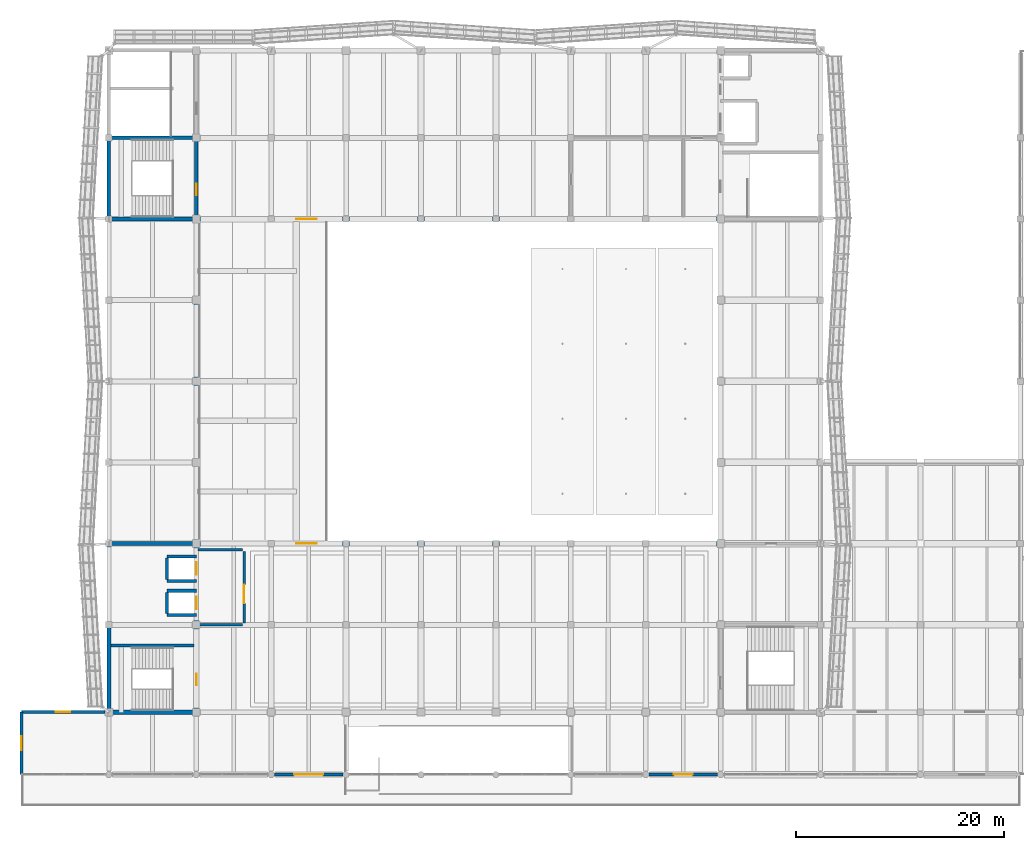
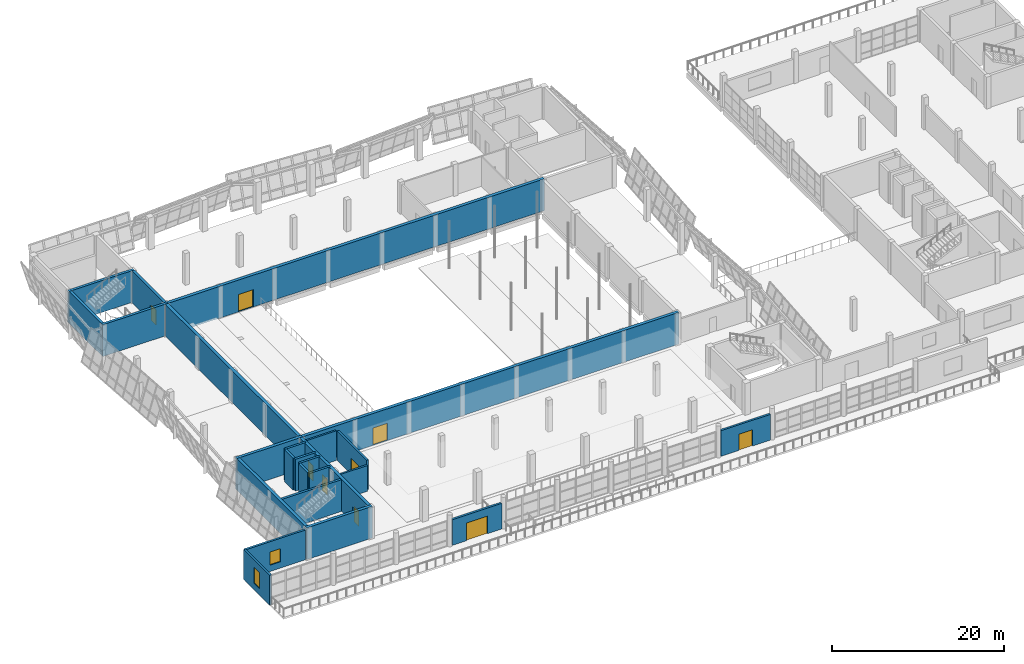
# One storey, part 55 of 71: 25 walls, 9 doors, 2 windows, 11 openings.
"""IFC4 building model written with IfcOpenShell, lengths in metres."""

from ifc_helpers import new_model, si_unit, direction, frame, frame_2d, origin, place, context, subcontext, project, spatial, rectangle, extrude, material, layer, layer_set, type_object, element, fill, save


model = new_model("IFC4")

# Units and contexts
model_context = context("Model", 3, precision=1e-05, world=origin(), true_north=direction((0.0, 1.0)))
body_context = subcontext(model_context, "Body", "Model", "MODEL_VIEW")
ifc_project = project(units=[si_unit("LENGTHUNIT", "METRE"), si_unit("AREAUNIT", "SQUARE_METRE"), si_unit("VOLUMEUNIT", "CUBIC_METRE"), si_unit("PLANEANGLEUNIT", "RADIAN"), si_unit("MASSUNIT", "GRAM", prefix="KILO")], contexts=[model_context])

# Site, building, storey
site_placement = place(None, origin())
site = spatial("IfcSite", under=ifc_project, at=site_placement, CompositionType="ELEMENT")
building_placement = place(site_placement, origin())
building = spatial("IfcBuilding", under=site, at=building_placement, Name="Pellamere Symphony Hall", CompositionType="ELEMENT")
storey_placement = place(building_placement, frame((0.0, 0.0, 15.0)))
storey = spatial("IfcBuildingStorey", under=building, at=storey_placement, Name="L03", CompositionType="ELEMENT", Elevation=15.0)

# Wall, opening, door
ifc_material_1 = material(Name="Architectural Limestone-Clad Insulated Backing Assembly", Category="masonry")
ifc_layer_1 = layer(ifc_material_1, 0.280029296875, Name="Architectural Limestone-Clad Insulated Backing Assembly")
ifc_layer_set_1 = layer_set([ifc_layer_1], Name="Architectural Limestone-Clad Insulated Backing Assembly")
wall_type_1 = type_object("IfcWallType", Name="Exterior Wall EW-03 280mm", PredefinedType="SOLIDWALL", material=ifc_layer_set_1)
wall_1_placement = place(storey_placement, frame((66.300048828125, 24.0, 0.0), z_axis=(0.0, 0.0, 1.0), x_axis=(1.0, 0.0, 0.0)))
wall_1 = element("IfcWall", 1, at=wall_1_placement, inside=storey, type_object=wall_type_1, Name="Exterior Wall EW-03-053 (L03)", PredefinedType="SOLIDWALL", context=body_context, shape_type="SweptSolid", body=[
    extrude(rectangle(XDim=6.599853515625, YDim=0.280029296875, at=frame_2d((3.2998046875, 0.0))), origin(), (0.0, 0.0, 1.0), 3.639892578125),
])
opening_1_placement = place(wall_1_placement, frame((1.89990234375, 0.0, 0.0)))
opening_1 = element("IfcOpeningElement", 2, at=opening_1_placement, cuts=wall_1, Name="Opening TD-03", PredefinedType="OPENING", context=body_context, shape_type="SweptSolid", body=[
    extrude(rectangle(XDim=2.800048828125, YDim=2.5, at=frame_2d((1.39990234375, 1.25))), frame((0.0, 0.14990234375, 0.0), z_axis=(0.0, -1.0, 0.0), x_axis=(1.0, 0.0, 0.0)), (0.0, 0.0, 1.0), 0.300048828125),
])
ifc_material_2 = material(Name="Thermally Broken Bronze-Anodised Aluminium Acoustic Door", Category="aluminium")
door_type_1 = type_object("IfcDoorType", Name="Exterior Door ED-05 2800x2500", OperationType="NOTDEFINED", PredefinedType="DOOR", material=ifc_material_2)
door_1_placement = place(opening_1_placement, frame((2.800048828125, 0.0, 0.0), z_axis=(0.0, 0.0, 1.0), x_axis=(-1.0, 0.0, 0.0)))
door_1 = element("IfcDoor", 3, at=door_1_placement, inside=storey, type_object=door_type_1, Name="Step 2 Winter-Garden Terrace West Door", OperationType="SLIDING_TO_LEFT", OverallHeight=2.5, OverallWidth=2.800048828125, PredefinedType="DOOR", context=body_context, shape_type="SweptSolid", body=[
    extrude(rectangle(XDim=2.800048828125, YDim=2.5, at=frame_2d((1.39990234375, 1.25))), frame((0.0, 0.02490234375, 0.0), z_axis=(0.0, -1.0, 0.0), x_axis=(1.0, 0.0, 0.0)), (0.0, 0.0, 1.0), 0.050048828125),
])
fill(opening_1, door_1)

wall_2_placement = place(storey_placement, frame((102.300048828125, 24.0, 0.0), z_axis=(0.0, 0.0, 1.0), x_axis=(1.0, 0.0, 0.0)))
wall_2 = element("IfcWall", 4, at=wall_2_placement, inside=storey, type_object=wall_type_1, Name="Exterior Wall EW-03-054 (L03)", PredefinedType="SOLIDWALL", context=body_context, shape_type="SweptSolid", body=[
    extrude(rectangle(XDim=6.599853515625, YDim=0.280029296875, at=frame_2d((3.2998046875, 0.0))), origin(), (0.0, 0.0, 1.0), 3.639892578125),
])
opening_2_placement = place(wall_2_placement, frame((2.39990234375, 0.0, 0.0)))
opening_2 = element("IfcOpeningElement", 5, at=opening_2_placement, cuts=wall_2, Name="Opening TD-04", PredefinedType="OPENING", context=body_context, shape_type="SweptSolid", body=[
    extrude(rectangle(XDim=1.800048828125, YDim=2.300048828125, at=frame_2d((0.89990234375, 1.14990234375))), frame((0.0, 0.14990234375, 0.0), z_axis=(0.0, -1.0, 0.0), x_axis=(1.0, 0.0, 0.0)), (0.0, 0.0, 1.0), 0.300048828125),
])
door_type_2 = type_object("IfcDoorType", Name="Exterior Door ED-06 1800x2300", OperationType="NOTDEFINED", PredefinedType="DOOR", material=ifc_material_2)
door_2_placement = place(opening_2_placement, frame((1.800048828125, 0.0, 0.0), z_axis=(0.0, 0.0, 1.0), x_axis=(-1.0, 0.0, 0.0)))
door_2 = element("IfcDoor", 6, at=door_2_placement, inside=storey, type_object=door_type_2, Name="Step 2 Winter-Garden Terrace East Door", OperationType="DOUBLE_DOOR_SINGLE_SWING", OverallHeight=2.300048828125, OverallWidth=1.800048828125, PredefinedType="DOOR", context=body_context, shape_type="SweptSolid", body=[
    extrude(rectangle(XDim=1.800048828125, YDim=2.300048828125, at=frame_2d((0.89990234375, 1.14990234375))), frame((0.0, 0.02490234375, 0.0), z_axis=(0.0, -1.0, 0.0), x_axis=(1.0, 0.0, 0.0)), (0.0, 0.0, 1.0), 0.050048828125),
])
fill(opening_2, door_2)

# Wall, opening, window
wall_3_placement = place(storey_placement, frame((42.0, 24.0, 0.0), z_axis=(0.0, 0.0, 1.0), x_axis=(0.0, 1.0, 0.0)))
wall_3 = element("IfcWall", 7, at=wall_3_placement, inside=storey, type_object=wall_type_1, Name="Exterior Wall EW-03-060 (L03)", PredefinedType="SOLIDWALL", context=body_context, shape_type="SweptSolid", body=[
    extrude(rectangle(XDim=6.0, YDim=0.280029296875, at=frame_2d((3.0, 0.0))), origin(), (0.0, 0.0, 1.0), 4.219970703125),
])
opening_3_placement = place(wall_3_placement, frame((2.324951171875, 0.0, 0.89990234375)))
opening_3 = element("IfcOpeningElement", 8, at=opening_3_placement, cuts=wall_3, Name="Opening W035", PredefinedType="OPENING", context=body_context, shape_type="SweptSolid", body=[
    extrude(rectangle(XDim=1.35009765625, YDim=2.25, at=frame_2d((0.675048828125, 1.125))), frame((0.0, 0.14990234375, 0.0), z_axis=(0.0, -1.0, 0.0), x_axis=(1.0, 0.0, 0.0)), (0.0, 0.0, 1.0), 0.300048828125),
])
ifc_material_3 = material(Name="Thermally Broken Aluminium Triple-Glazed Acoustic Window", Category="aluminium")
window_type_1 = type_object("IfcWindowType", Name="Window WN-13 1350x2250", PartitioningType="SINGLE_PANEL", PredefinedType="WINDOW", material=ifc_material_3)
window_1_placement = place(opening_3_placement, origin())
window_1 = element("IfcWindow", 9, at=window_1_placement, inside=storey, type_object=window_type_1, Name="Exterior Window W035 (L03)", OverallHeight=2.25, OverallWidth=1.35009765625, PartitioningType="SINGLE_PANEL", PredefinedType="WINDOW", context=body_context, shape_type="SweptSolid", body=[
    extrude(rectangle(XDim=1.35009765625, YDim=2.25, at=frame_2d((0.675048828125, 1.125))), frame((0.0, 0.030029296875, 0.0), z_axis=(0.0, -1.0, 0.0), x_axis=(1.0, 0.0, 0.0)), (0.0, 0.0, 1.0), 0.06005859375),
])
fill(opening_3, window_1)

wall_4_placement = place(storey_placement, frame((42.0, 30.0, 0.0), z_axis=(0.0, 0.0, 1.0), x_axis=(1.0, 0.0, 0.0)))
wall_4 = element("IfcWall", 10, at=wall_4_placement, inside=storey, type_object=wall_type_1, Name="Exterior Wall EW-03-063 (L03)", PredefinedType="SOLIDWALL", context=body_context, shape_type="SweptSolid", body=[
    extrude(rectangle(XDim=8.02490234375, YDim=0.280029296875, at=frame_2d((4.012451171875, 0.0))), origin(), (0.0, 0.0, 1.0), 4.219970703125),
])
opening_4_placement = place(wall_4_placement, frame((3.3125, 0.0, 0.89990234375)))
opening_4 = element("IfcOpeningElement", 11, at=opening_4_placement, cuts=wall_4, Name="Opening W038", PredefinedType="OPENING", context=body_context, shape_type="SweptSolid", body=[
    extrude(rectangle(XDim=1.39990234375, YDim=1.85009765625, at=frame_2d((0.699951171875, 0.925048828125))), frame((0.0, 0.14990234375, 0.0), z_axis=(0.0, -1.0, 0.0), x_axis=(1.0, 0.0, 0.0)), (0.0, 0.0, 1.0), 0.300048828125),
])
window_type_2 = type_object("IfcWindowType", Name="Window WN-18 1400x1850", PartitioningType="SINGLE_PANEL", PredefinedType="WINDOW", material=ifc_material_3)
window_2_placement = place(opening_4_placement, origin())
window_2 = element("IfcWindow", 12, at=window_2_placement, inside=storey, type_object=window_type_2, Name="Exterior Window W038 (L03)", OverallHeight=1.85009765625, OverallWidth=1.39990234375, PartitioningType="SINGLE_PANEL", PredefinedType="WINDOW", context=body_context, shape_type="SweptSolid", body=[
    extrude(rectangle(XDim=1.39990234375, YDim=1.85009765625, at=frame_2d((0.699951171875, 0.925048828125))), frame((0.0, 0.030029296875, 0.0), z_axis=(0.0, -1.0, 0.0), x_axis=(1.0, 0.0, 0.0)), (0.0, 0.0, 1.0), 0.06005859375),
])
fill(opening_4, window_2)

# Walls
ifc_material_4 = material(Name="Double-Stud STC-65 Acoustic Drywall Partition", Category="gypsum")
ifc_layer_2 = layer(ifc_material_4, 0.239990234375, Name="Double-Stud STC-65 Acoustic Drywall Partition")
ifc_layer_set_2 = layer_set([ifc_layer_2], Name="Double-Stud STC-65 Acoustic Drywall Partition")
wall_type_2 = type_object("IfcWallType", Name="Interior Partition IW-01 240mm", PredefinedType="PARTITIONING", material=ifc_layer_set_2)
wall_5_placement = place(storey_placement, frame((58.9599609375, 38.39990234375, 0.0), z_axis=(0.0, 0.0, 1.0), x_axis=(1.0, 0.0, 0.0)))
element("IfcWall", 13, at=wall_5_placement, inside=storey, type_object=wall_type_2, Name="Interior Partition IW-01-014 (L03)", PredefinedType="PARTITIONING", context=body_context, shape_type="SweptSolid", body=[
    extrude(rectangle(XDim=4.280029296875, YDim=0.239990234375, at=frame_2d((2.14013671875, 0.0))), origin(), (0.0, 0.0, 1.0), 3.639892578125),
])
wall_6_placement = place(storey_placement, frame((58.9599609375, 45.60009765625, 0.0), z_axis=(0.0, 0.0, 1.0), x_axis=(1.0, 0.0, 0.0)))
element("IfcWall", 14, at=wall_6_placement, inside=storey, type_object=wall_type_2, Name="Interior Partition IW-01-015 (L03)", PredefinedType="PARTITIONING", context=body_context, shape_type="SweptSolid", body=[
    extrude(rectangle(XDim=4.280029296875, YDim=0.239990234375, at=frame_2d((2.14013671875, 0.0))), origin(), (0.0, 0.0, 1.0), 4.18994140625),
])

# Wall, opening, door
wall_7_placement = place(storey_placement, frame((63.39990234375, 38.56005859375, 0.0), z_axis=(0.0, 0.0, 1.0), x_axis=(0.0, 1.0, 0.0)))
wall_7 = element("IfcWall", 15, at=wall_7_placement, inside=storey, type_object=wall_type_2, Name="Interior Partition IW-01-016 (L03)", PredefinedType="PARTITIONING", context=body_context, shape_type="SweptSolid", body=[
    extrude(rectangle(XDim=6.8798828125, YDim=0.239990234375, at=frame_2d((3.43994140625, 0.0))), origin(), (0.0, 0.0, 1.0), 4.18994140625),
])
opening_5_placement = place(wall_7_placement, frame((1.89990234375, 0.0, 0.0)))
opening_5 = element("IfcOpeningElement", 16, at=opening_5_placement, cuts=wall_7, Name="Opening FD-07", PredefinedType="OPENING", context=body_context, shape_type="SweptSolid", body=[
    extrude(rectangle(XDim=1.800048828125, YDim=2.300048828125, at=frame_2d((0.89990234375, 1.14990234375))), frame((0.0, 0.1298828125, 0.0), z_axis=(0.0, -1.0, 0.0), x_axis=(1.0, 0.0, 0.0)), (0.0, 0.0, 1.0), 0.260009765625),
])
ifc_material_5 = material(Name="Fire-Rated Cross-Corridor Double Door", Category="wood")
door_type_3 = type_object("IfcDoorType", Name="Interior Door ID-FD1 1800x2300", OperationType="NOTDEFINED", PredefinedType="DOOR", material=ifc_material_5)
door_3_placement = place(opening_5_placement, origin())
door_3 = element("IfcDoor", 17, at=door_3_placement, inside=storey, type_object=door_type_3, Name="Firefighting Lobby C1 Foyer Entry Door (L03)", OperationType="DOUBLE_DOOR_SINGLE_SWING", OverallHeight=2.300048828125, OverallWidth=1.800048828125, PredefinedType="DOOR", context=body_context, shape_type="SweptSolid", body=[
    extrude(rectangle(XDim=1.800048828125, YDim=2.300048828125, at=frame_2d((0.89990234375, 1.14990234375))), frame((0.0, 0.02490234375, 0.0), z_axis=(0.0, -1.0, 0.0), x_axis=(1.0, 0.0, 0.0)), (0.0, 0.0, 1.0), 0.050048828125),
])
fill(opening_5, door_3)

# Walls
ifc_material_6 = material(Name="Concrete 50 MPa", Category="concrete")
ifc_layer_3 = layer(ifc_material_6, 0.39990234375, Name="Concrete 50 MPa")
ifc_layer_set_3 = layer_set([ifc_layer_3], Name="Concrete 50 MPa")
wall_type_3 = type_object("IfcWallType", Name="Structural Wall SW-02 400mm", PredefinedType="SHEAR", material=ifc_layer_set_3)
for number, where, z_axis, x_axis, name in (
    (18, (50.199951171875, 30.0, 0.0), (0.0, 0.0, 1.0), (1.0, 0.0, 0.0), "Core Shear Wall C1 S (L03)"),
    (19, (50.199951171875, 46.199951171875, 0.0), (0.0, 0.0, 1.0), (1.0, 0.0, 0.0), "Core Shear Wall C1 N (L03)"),
):
    element("IfcWall", number, at=place(storey_placement, frame(where, z_axis=z_axis, x_axis=x_axis)), inside=storey, type_object=wall_type_3, Name=name, PredefinedType="SHEAR", context=body_context, shape_type="SweptSolid", body=[
        extrude(rectangle(XDim=8.800048828125, YDim=0.39990234375, at=frame_2d((4.39990234375, 0.0))), origin(), (0.0, 0.0, 1.0), 4.5),
    ])
wall_8_placement = place(storey_placement, frame((50.39990234375, 30.199951171875, 0.0), z_axis=(0.0, 0.0, 1.0), x_axis=(0.0, 1.0, 0.0)))
element("IfcWall", 20, at=wall_8_placement, inside=storey, type_object=wall_type_3, Name="Core Shear Wall C1 W (L03)", PredefinedType="SHEAR", context=body_context, shape_type="SweptSolid", body=[
    extrude(rectangle(XDim=15.800048828125, YDim=0.39990234375, at=frame_2d((7.89990234375, 0.0))), origin(), (0.0, 0.0, 1.0), 4.5),
])

# Wall, openings, doors
wall_9_placement = place(storey_placement, frame((58.800048828125, 30.199951171875, 0.0), z_axis=(0.0, 0.0, 1.0), x_axis=(0.0, 1.0, 0.0)))
wall_9 = element("IfcWall", 21, at=wall_9_placement, inside=storey, type_object=wall_type_3, Name="Core Shear Wall C1 E (L03)", PredefinedType="SHEAR", context=body_context, shape_type="SweptSolid", body=[
    extrude(rectangle(XDim=15.800048828125, YDim=0.39990234375, at=frame_2d((7.89990234375, 0.0))), origin(), (0.0, 0.0, 1.0), 4.5),
])
opening_6_placement = place(wall_9_placement, frame((9.699951171875, 0.0, 0.0)))
opening_6 = element("IfcOpeningElement", 22, at=opening_6_placement, cuts=wall_9, Name="Opening LD-05", PredefinedType="OPENING", context=body_context, shape_type="SweptSolid", body=[
    extrude(rectangle(XDim=1.199951171875, YDim=2.199951171875, at=frame_2d((0.60009765625, 1.10009765625))), frame((0.0, 0.2099609375, 0.0), z_axis=(0.0, -1.0, 0.0), x_axis=(1.0, 0.0, 0.0)), (0.0, 0.0, 1.0), 0.419921875),
])
opening_7_placement = place(wall_9_placement, frame((13.0, 0.0, 0.0)))
opening_7 = element("IfcOpeningElement", 23, at=opening_7_placement, cuts=wall_9, Name="Opening LD-11", PredefinedType="OPENING", context=body_context, shape_type="SweptSolid", body=[
    extrude(rectangle(XDim=1.199951171875, YDim=2.199951171875, at=frame_2d((0.60009765625, 1.10009765625))), frame((0.0, 0.2099609375, 0.0), z_axis=(0.0, -1.0, 0.0), x_axis=(1.0, 0.0, 0.0)), (0.0, 0.0, 1.0), 0.419921875),
])
opening_8_placement = place(wall_9_placement, frame((2.39990234375, 0.0, 0.0)))
opening_8 = element("IfcOpeningElement", 24, at=opening_8_placement, cuts=wall_9, Name="Opening SD-05", PredefinedType="OPENING", context=body_context, shape_type="SweptSolid", body=[
    extrude(rectangle(XDim=1.10009765625, YDim=2.199951171875, at=frame_2d((0.550048828125, 1.10009765625))), frame((0.0, 0.2099609375, 0.0), z_axis=(0.0, -1.0, 0.0), x_axis=(1.0, 0.0, 0.0)), (0.0, 0.0, 1.0), 0.419921875),
])
ifc_material_7 = material(Name="Stainless Steel AISI 316 Elevator Landing Door", Category="steel")
door_type_4 = type_object("IfcDoorType", Name="Interior Door ID-LD1 1200x2200", OperationType="NOTDEFINED", PredefinedType="DOOR", material=ifc_material_7)
door_4_placement = place(opening_6_placement, origin())
door_4 = element("IfcDoor", 25, at=door_4_placement, inside=storey, type_object=door_type_4, Name="Elevator PL1 Sliding Landing Door (L03)", OperationType="SLIDING_TO_LEFT", OverallHeight=2.199951171875, OverallWidth=1.199951171875, PredefinedType="DOOR", context=body_context, shape_type="SweptSolid", body=[
    extrude(rectangle(XDim=1.199951171875, YDim=2.199951171875, at=frame_2d((0.60009765625, 1.10009765625))), frame((0.0, 0.02490234375, 0.0), z_axis=(0.0, -1.0, 0.0), x_axis=(1.0, 0.0, 0.0)), (0.0, 0.0, 1.0), 0.050048828125),
])
fill(opening_6, door_4)
door_5_placement = place(opening_7_placement, origin())
door_5 = element("IfcDoor", 26, at=door_5_placement, inside=storey, type_object=door_type_4, Name="Elevator PL2 Sliding Landing Door (L03)", OperationType="SLIDING_TO_LEFT", OverallHeight=2.199951171875, OverallWidth=1.199951171875, PredefinedType="DOOR", context=body_context, shape_type="SweptSolid", body=[
    extrude(rectangle(XDim=1.199951171875, YDim=2.199951171875, at=frame_2d((0.60009765625, 1.10009765625))), frame((0.0, 0.02490234375, 0.0), z_axis=(0.0, -1.0, 0.0), x_axis=(1.0, 0.0, 0.0)), (0.0, 0.0, 1.0), 0.050048828125),
])
fill(opening_7, door_5)
ifc_material_8 = material(Name="Fire-Rated Steel Exit Stair Door", Category="steel")
door_type_5 = type_object("IfcDoorType", Name="Interior Door ID-SD1 1100x2200", OperationType="NOTDEFINED", PredefinedType="DOOR", material=ifc_material_8)
door_6_placement = place(opening_8_placement, origin())
door_6 = element("IfcDoor", 27, at=door_6_placement, inside=storey, type_object=door_type_5, Name="Core C1 Exit Stair Door (L03)", OperationType="SINGLE_SWING_LEFT", OverallHeight=2.199951171875, OverallWidth=1.10009765625, PredefinedType="DOOR", context=body_context, shape_type="SweptSolid", body=[
    extrude(rectangle(XDim=1.10009765625, YDim=2.199951171875, at=frame_2d((0.550048828125, 1.10009765625))), frame((0.0, 0.02490234375, 0.0), z_axis=(0.0, -1.0, 0.0), x_axis=(1.0, 0.0, 0.0)), (0.0, 0.0, 1.0), 0.050048828125),
])
fill(opening_8, door_6)

# Walls
ifc_material_9 = material(Name="Concrete 40 MPa", Category="concrete")
ifc_layer_4 = layer(ifc_material_9, 0.35009765625, Name="Concrete 40 MPa")
ifc_layer_set_4 = layer_set([ifc_layer_4], Name="Concrete 40 MPa")
wall_type_4 = type_object("IfcWallType", Name="Structural Wall SW-03 350mm", PredefinedType="SHEAR", material=ifc_layer_set_4)
for number, where, z_axis, x_axis, name in (
    (28, (50.22509765625, 77.39990234375, 0.0), (0.0, 0.0, 1.0), (1.0, 0.0, 0.0), "Stair ST07 Enclosure Wall S (L03)"),
    (29, (50.22509765625, 85.199951171875, 0.0), (0.0, 0.0, 1.0), (1.0, 0.0, 0.0), "Stair ST07 Enclosure Wall N (L03)"),
):
    element("IfcWall", number, at=place(storey_placement, frame(where, z_axis=z_axis, x_axis=x_axis)), inside=storey, type_object=wall_type_4, Name=name, PredefinedType="SHEAR", context=body_context, shape_type="SweptSolid", body=[
        extrude(rectangle(XDim=8.75, YDim=0.35009765625, at=frame_2d((4.375, 0.0))), origin(), (0.0, 0.0, 1.0), 4.5),
    ])
wall_10_placement = place(storey_placement, frame((50.39990234375, 77.574951171875, 0.0), z_axis=(0.0, 0.0, 1.0), x_axis=(0.0, 1.0, 0.0)))
element("IfcWall", 30, at=wall_10_placement, inside=storey, type_object=wall_type_4, Name="Stair ST07 Enclosure Wall W (L03)", PredefinedType="SHEAR", context=body_context, shape_type="SweptSolid", body=[
    extrude(rectangle(XDim=7.449951171875, YDim=0.35009765625, at=frame_2d((3.72509765625, 0.0))), origin(), (0.0, 0.0, 1.0), 4.5),
])

# Wall, opening, door
wall_11_placement = place(storey_placement, frame((58.800048828125, 77.574951171875, 0.0), z_axis=(0.0, 0.0, 1.0), x_axis=(0.0, 1.0, 0.0)))
wall_11 = element("IfcWall", 31, at=wall_11_placement, inside=storey, type_object=wall_type_4, Name="Stair ST07 Enclosure Wall E (L03)", PredefinedType="SHEAR", context=body_context, shape_type="SweptSolid", body=[
    extrude(rectangle(XDim=7.449951171875, YDim=0.35009765625, at=frame_2d((3.72509765625, 0.0))), origin(), (0.0, 0.0, 1.0), 4.5),
])
opening_9_placement = place(wall_11_placement, frame((2.10009765625, 0.0, 0.0)))
opening_9 = element("IfcOpeningElement", 32, at=opening_9_placement, cuts=wall_11, Name="Opening SD-41", PredefinedType="OPENING", context=body_context, shape_type="SweptSolid", body=[
    extrude(rectangle(XDim=1.10009765625, YDim=2.199951171875, at=frame_2d((0.550048828125, 1.10009765625))), frame((0.0, 0.18505859375, 0.0), z_axis=(0.0, -1.0, 0.0), x_axis=(1.0, 0.0, 0.0)), (0.0, 0.0, 1.0), 0.3701171875),
])
door_7_placement = place(opening_9_placement, origin())
door_7 = element("IfcDoor", 33, at=door_7_placement, inside=storey, type_object=door_type_5, Name="Exit Stair ST07 Door (L03)", OperationType="SINGLE_SWING_LEFT", OverallHeight=2.199951171875, OverallWidth=1.10009765625, PredefinedType="DOOR", context=body_context, shape_type="SweptSolid", body=[
    extrude(rectangle(XDim=1.10009765625, YDim=2.199951171875, at=frame_2d((0.550048828125, 1.10009765625))), frame((0.0, 0.02490234375, 0.0), z_axis=(0.0, -1.0, 0.0), x_axis=(1.0, 0.0, 0.0)), (0.0, 0.0, 1.0), 0.050048828125),
])
fill(opening_9, door_7)

# Walls
ifc_layer_5 = layer(ifc_material_9, 0.300048828125, Name="Concrete 40 MPa")
ifc_layer_set_5 = layer_set([ifc_layer_5], Name="Concrete 40 MPa")
wall_type_5 = type_object("IfcWallType", Name="Structural Wall SW-04 300mm", PredefinedType="SHEAR", material=ifc_layer_set_5)
for number, where, z_axis, x_axis, name in (
    (34, (56.0, 39.324951171875, 0.0), (0.0, 0.0, 1.0), (1.0, 0.0, 0.0), "Elevator PL1 Hoistway Wall S (L03)"),
    (35, (56.0, 41.675048828125, 0.0), (0.0, 0.0, 1.0), (1.0, 0.0, 0.0), "Elevator PL1 Hoistway Wall N (L03)"),
):
    element("IfcWall", number, at=place(storey_placement, frame(where, z_axis=z_axis, x_axis=x_axis)), inside=storey, type_object=wall_type_5, Name=name, PredefinedType="SHEAR", context=body_context, shape_type="SweptSolid", body=[
        extrude(rectangle(XDim=2.800048828125, YDim=0.300048828125, at=frame_2d((1.39990234375, 0.0))), origin(), (0.0, 0.0, 1.0), 4.5),
    ])
wall_12_placement = place(storey_placement, frame((56.0, 39.47509765625, 0.0), z_axis=(0.0, 0.0, 1.0), x_axis=(0.0, 1.0, 0.0)))
element("IfcWall", 36, at=wall_12_placement, inside=storey, type_object=wall_type_5, Name="Elevator PL1 Hoistway Wall W (L03)", PredefinedType="SHEAR", context=body_context, shape_type="SweptSolid", body=[
    extrude(rectangle(XDim=2.0498046875, YDim=0.300048828125, at=frame_2d((1.02490234375, 0.0))), origin(), (0.0, 0.0, 1.0), 4.5),
])
for number, where, z_axis, x_axis, name in (
    (37, (56.0, 42.625, 0.0), (0.0, 0.0, 1.0), (1.0, 0.0, 0.0), "Elevator PL2 Hoistway Wall S (L03)"),
    (38, (56.0, 44.97509765625, 0.0), (0.0, 0.0, 1.0), (1.0, 0.0, 0.0), "Elevator PL2 Hoistway Wall N (L03)"),
):
    element("IfcWall", number, at=place(storey_placement, frame(where, z_axis=z_axis, x_axis=x_axis)), inside=storey, type_object=wall_type_5, Name=name, PredefinedType="SHEAR", context=body_context, shape_type="SweptSolid", body=[
        extrude(rectangle(XDim=2.800048828125, YDim=0.300048828125, at=frame_2d((1.39990234375, 0.0))), origin(), (0.0, 0.0, 1.0), 4.5),
    ])
wall_13_placement = place(storey_placement, frame((56.0, 42.77490234375, 0.0), z_axis=(0.0, 0.0, 1.0), x_axis=(0.0, 1.0, 0.0)))
element("IfcWall", 39, at=wall_13_placement, inside=storey, type_object=wall_type_5, Name="Elevator PL2 Hoistway Wall W (L03)", PredefinedType="SHEAR", context=body_context, shape_type="SweptSolid", body=[
    extrude(rectangle(XDim=2.050048828125, YDim=0.300048828125, at=frame_2d((1.02490234375, 0.0))), origin(), (0.0, 0.0, 1.0), 4.5),
])

# Wall, opening, door
ifc_material_10 = material(Name="Architectural warm-pigmented concrete 40 MPa", Category="concrete")
ifc_layer_6 = layer(ifc_material_10, 0.419921875, Name="Architectural warm-pigmented concrete 40 MPa")
ifc_layer_set_6 = layer_set([ifc_layer_6], Name="Architectural warm-pigmented concrete 40 MPa")
wall_type_6 = type_object("IfcWallType", Name="Structural Wall SW-06 420mm", PredefinedType="SOLIDWALL", material=ifc_layer_set_6)
wall_14_placement = place(storey_placement, frame((58.590087890625, 46.199951171875, 0.0), z_axis=(0.0, 0.0, 1.0), x_axis=(1.0, 0.0, 0.0)))
wall_14 = element("IfcWall", 40, at=wall_14_placement, inside=storey, type_object=wall_type_6, Name="Main Hall Acoustic Box Wall AW1-S (L03)", PredefinedType="SOLIDWALL", context=body_context, shape_type="SweptSolid", body=[
    extrude(rectangle(XDim=50.81982421875, YDim=0.419921875, at=frame_2d((25.409912109375, 0.0))), origin(), (0.0, 0.0, 1.0), 4.5),
])
opening_10_placement = place(wall_14_placement, frame((9.800048828125, 0.0, 0.0)))
opening_10 = element("IfcOpeningElement", 41, at=opening_10_placement, cuts=wall_14, Name="Opening AD-09", PredefinedType="OPENING", context=body_context, shape_type="SweptSolid", body=[
    extrude(rectangle(XDim=2.0, YDim=2.449951171875, at=frame_2d((1.0, 1.22509765625))), frame((0.0, 0.219970703125, 0.0), z_axis=(0.0, -1.0, 0.0), x_axis=(1.0, 0.0, 0.0)), (0.0, 0.0, 1.0), 0.43994140625),
])
ifc_material_11 = material(Name="STC-55 Solid White Oak Acoustic Hall Entry Door", Category="wood")
door_type_6 = type_object("IfcDoorType", Name="Interior Door ID-AD1 2000x2450", OperationType="NOTDEFINED", PredefinedType="DOOR", material=ifc_material_11)
door_8_placement = place(opening_10_placement, origin())
door_8 = element("IfcDoor", 42, at=door_8_placement, inside=storey, type_object=door_type_6, Name="Main Hall L03 Balcony Acoustic Entry Door S", OperationType="DOUBLE_DOOR_SINGLE_SWING", OverallHeight=2.449951171875, OverallWidth=2.0, PredefinedType="DOOR", context=body_context, shape_type="SweptSolid", body=[
    extrude(rectangle(XDim=2.0, YDim=2.449951171875, at=frame_2d((1.0, 1.22509765625))), frame((0.0, 0.02490234375, 0.0), z_axis=(0.0, -1.0, 0.0), x_axis=(1.0, 0.0, 0.0)), (0.0, 0.0, 1.0), 0.050048828125),
])
fill(opening_10, door_8)

wall_15_placement = place(storey_placement, frame((58.590087890625, 77.39990234375, 0.0), z_axis=(0.0, 0.0, 1.0), x_axis=(1.0, 0.0, 0.0)))
wall_15 = element("IfcWall", 43, at=wall_15_placement, inside=storey, type_object=wall_type_6, Name="Main Hall Acoustic Box Wall AW1-N (L03)", PredefinedType="SOLIDWALL", context=body_context, shape_type="SweptSolid", body=[
    extrude(rectangle(XDim=50.81982421875, YDim=0.419921875, at=frame_2d((25.409912109375, 0.0))), origin(), (0.0, 0.0, 1.0), 4.5),
])
opening_11_placement = place(wall_15_placement, frame((9.800048828125, 0.0, 0.0)))
opening_11 = element("IfcOpeningElement", 44, at=opening_11_placement, cuts=wall_15, Name="Opening AD-10", PredefinedType="OPENING", context=body_context, shape_type="SweptSolid", body=[
    extrude(rectangle(XDim=2.0, YDim=2.449951171875, at=frame_2d((1.0, 1.22509765625))), frame((0.0, 0.219970703125, 0.0), z_axis=(0.0, -1.0, 0.0), x_axis=(1.0, 0.0, 0.0)), (0.0, 0.0, 1.0), 0.43994140625),
])
door_9_placement = place(opening_11_placement, origin())
door_9 = element("IfcDoor", 45, at=door_9_placement, inside=storey, type_object=door_type_6, Name="Main Hall L03 Balcony Acoustic Entry Door N", OperationType="DOUBLE_DOOR_SINGLE_SWING", OverallHeight=2.449951171875, OverallWidth=2.0, PredefinedType="DOOR", context=body_context, shape_type="SweptSolid", body=[
    extrude(rectangle(XDim=2.0, YDim=2.449951171875, at=frame_2d((1.0, 1.22509765625))), frame((0.0, 0.02490234375, 0.0), z_axis=(0.0, -1.0, 0.0), x_axis=(1.0, 0.0, 0.0)), (0.0, 0.0, 1.0), 0.050048828125),
])
fill(opening_11, door_9)

# Walls
wall_16_placement = place(storey_placement, frame((58.800048828125, 46.409912109375, 0.0), z_axis=(0.0, 0.0, 1.0), x_axis=(0.0, 1.0, 0.0)))
element("IfcWall", 46, at=wall_16_placement, inside=storey, type_object=wall_type_6, Name="Main Hall Acoustic Box Wall AW1-W (L03)", PredefinedType="SOLIDWALL", context=body_context, shape_type="SweptSolid", body=[
    extrude(rectangle(XDim=30.780029296875, YDim=0.419921875, at=frame_2d((15.39013671875, 0.0))), origin(), (0.0, 0.0, 1.0), 4.5),
])
ifc_layer_7 = layer(ifc_material_9, 0.31005859375, Name="Concrete 40 MPa")
ifc_layer_set_7 = layer_set([ifc_layer_7], Name="Concrete 40 MPa")
wall_type_7 = type_object("IfcWallType", Name="Structural Wall SW-08 310mm", PredefinedType="SHEAR", material=ifc_layer_set_7)
wall_17_placement = place(storey_placement, frame((50.6201171875, 36.39990234375, 0.0), z_axis=(0.0, 0.0, 1.0), x_axis=(1.0, 0.0, 0.0)))
element("IfcWall", 47, at=wall_17_placement, inside=storey, type_object=wall_type_7, Name="Core Stair Divider Wall C1 (L03)", PredefinedType="SHEAR", context=body_context, shape_type="SweptSolid", body=[
    extrude(rectangle(XDim=7.9599609375, YDim=0.31005859375, at=frame_2d((3.97998046875, 0.0))), origin(), (0.0, 0.0, 1.0), 4.5),
])

save(model, "model.ifc")
